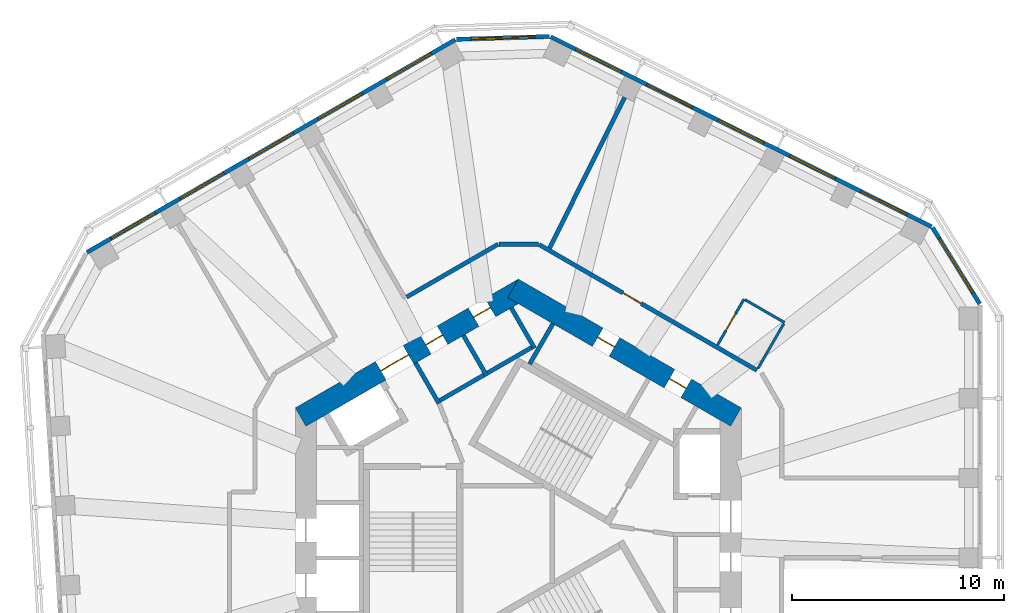
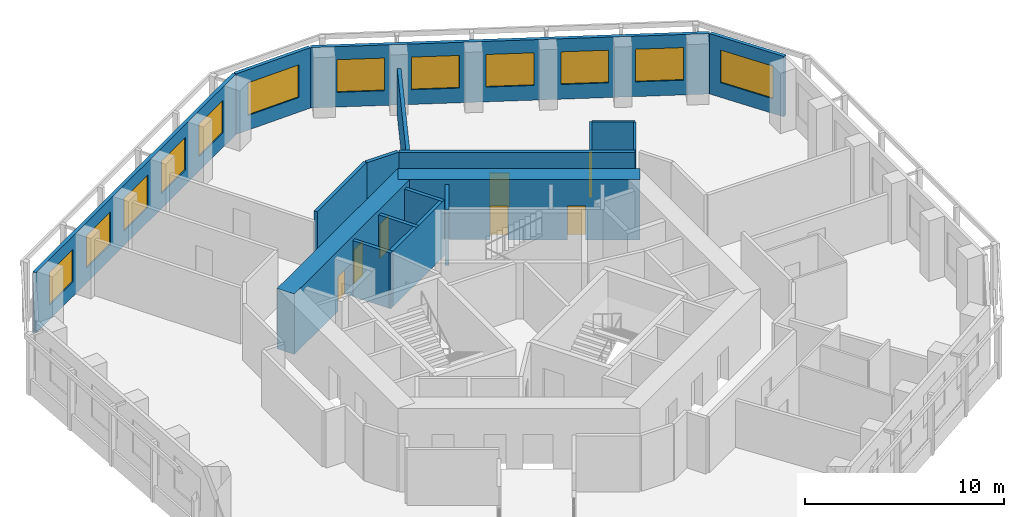
# One storey, part 7 of 10: 18 walls, 12 windows, 7 doors, 19 openings.
"""IFC4 building model written with IfcOpenShell, lengths in metres."""

from ifc_helpers import new_model, si_unit, direction, frame, frame_2d, origin, place, context, subcontext, project, spatial, rectangle, extrude, material, layer, layer_set, type_object, element, fill, save


model = new_model("IFC4")

# Units and contexts
model_context = context("Model", 3, precision=1e-05, world=origin(), true_north=direction((0.0, 1.0)))
body_context = subcontext(model_context, "Body", "Model", "MODEL_VIEW")
ifc_project = project(units=[si_unit("LENGTHUNIT", "METRE"), si_unit("AREAUNIT", "SQUARE_METRE"), si_unit("VOLUMEUNIT", "CUBIC_METRE"), si_unit("PLANEANGLEUNIT", "RADIAN"), si_unit("MASSUNIT", "GRAM", prefix="KILO")], contexts=[model_context])

# Site, building, storey
site_placement = place(None, origin())
site = spatial("IfcSite", under=ifc_project, at=site_placement, CompositionType="ELEMENT")
building_placement = place(site_placement, origin())
building = spatial("IfcBuilding", under=site, at=building_placement, Name="Vanh Sen Convention Tower", CompositionType="ELEMENT")
storey_placement = place(building_placement, frame((0.0, 0.0, 194.699951171875)))
storey = spatial("IfcBuildingStorey", under=building, at=storey_placement, Name="L48", CompositionType="ELEMENT", Elevation=194.699951171875)

# Wall, opening, door
ifc_material_1 = material(Name="Moisture-resistant gypsum board on steel studs", Category="steel")
ifc_layer_1 = layer(ifc_material_1, 0.1201171875)
ifc_layer_set_1 = layer_set([ifc_layer_1], Name="Moisture-resistant gypsum board on steel studs")
wall_type_1 = type_object("IfcWallType", Name="Bathroom partition 120", PredefinedType="PARTITIONING", material=ifc_layer_set_1)
wall_1_placement = place(storey_placement, frame((9.378173828125, 9.019287109375, 0.0), z_axis=(0.0, 0.0, 1.0), x_axis=(0.500004234368, 0.866022959057, 0.0)))
wall_1 = element("IfcWall", 1, at=wall_1_placement, inside=storey, type_object=wall_type_1, Name="Bathroom partition 120", PredefinedType="PARTITIONING", context=body_context, shape_type="SweptSolid", body=[
    extrude(rectangle(XDim=2.5, YDim=0.1201171875, at=frame_2d((1.25, 0.0))), origin(), (0.0, 0.0, 1.0), 3.420166015625),
])
opening_1_placement = place(wall_1_placement, frame((0.800048828125, 0.0, 0.0)))
opening_1 = element("IfcOpeningElement", 2, at=opening_1_placement, cuts=wall_1, Name="Opening D47102", PredefinedType="OPENING", context=body_context, shape_type="SweptSolid", body=[
    extrude(rectangle(XDim=0.89990234375, YDim=2.10009765625, at=frame_2d((0.449951171875, 1.050048828125))), frame((0.0, 0.070068359375, 0.0), z_axis=(0.0, -1.0, 0.0), x_axis=(1.0, 0.0, 0.0)), (0.0, 0.0, 1.0), 0.14013671875),
])
ifc_material_2 = material(Name="Laminate door in steel frame", Category="steel")
door_type_1 = type_object("IfcDoorType", Name="Room internal door 900", OperationType="SINGLE_SWING_LEFT", PredefinedType="DOOR", material=ifc_material_2)
door_1_placement = place(opening_1_placement, origin())
door_1 = element("IfcDoor", 3, at=door_1_placement, inside=storey, type_object=door_type_1, Name="Internal room door D47102", OperationType="SINGLE_SWING_LEFT", OverallHeight=2.10009765625, OverallWidth=0.89990234375, PredefinedType="DOOR", context=body_context, shape_type="SweptSolid", body=[
    extrude(rectangle(XDim=0.89990234375, YDim=2.10009765625, at=frame_2d((0.449951171875, 1.050048828125))), frame((0.0, 0.02490234375, 0.0), z_axis=(0.0, -1.0, 0.0), x_axis=(1.0, 0.0, 0.0)), (0.0, 0.0, 1.0), 0.050048828125),
])
fill(opening_1, door_1)

# Walls
wall_2_placement = place(storey_placement, frame((10.68017578125, 11.154296875, 0.0), z_axis=(0.0, 0.0, 1.0), x_axis=(0.86600889856, -0.500028586798, 0.0)))
element("IfcWall", 4, at=wall_2_placement, inside=storey, type_object=wall_type_1, Name="Bathroom partition 120", PredefinedType="PARTITIONING", context=body_context, shape_type="SweptSolid", body=[
    extrude(rectangle(XDim=2.139892578125, YDim=0.1201171875, at=frame_2d((1.06982421875, 0.0))), origin(), (0.0, 0.0, 1.0), 3.420166015625),
])
wall_3_placement = place(storey_placement, frame((12.50341796875, 10.0322265625, 0.0), z_axis=(0.0, 0.0, 1.0), x_axis=(-0.500002508028, -0.866023955769, 0.0)))
element("IfcWall", 5, at=wall_3_placement, inside=storey, type_object=wall_type_1, Name="Bathroom partition 120", PredefinedType="PARTITIONING", context=body_context, shape_type="SweptSolid", body=[
    extrude(rectangle(XDim=2.43994140625, YDim=0.1201171875, at=frame_2d((1.219970703125, 0.0))), origin(), (0.0, 0.0, 1.0), 3.420166015625),
])

# Wall, openings, doors
ifc_material_3 = material(Name="Concrete C80/95", Category="concrete")
ifc_layer_2 = layer(ifc_material_3, 1.0)
ifc_layer_set_2 = layer_set([ifc_layer_2], Name="Concrete C80/95")
wall_type_2 = type_object("IfcWallType", Name="Core outer wall 1000 C80/95", PredefinedType="SHEAR", material=ifc_layer_set_2)
wall_4_placement = place(storey_placement, frame((10.25, 5.629150390625, 0.0), z_axis=(0.0, 0.0, 1.0), x_axis=(-0.866022616891, 0.50000482701, 0.0)))
wall_4 = element("IfcWall", 6, at=wall_4_placement, inside=storey, type_object=wall_type_2, Name="Core wall face NE L48", PredefinedType="SHEAR", context=body_context, shape_type="SweptSolid", body=[
    extrude(rectangle(XDim=12.12451171875, YDim=1.0, at=frame_2d((6.062255859375, 0.0))), origin(), (0.0, 0.0, 1.0), 3.699951171875),
])
opening_2_placement = place(wall_4_placement, frame((2.712158203125, 0.0, 0.0)))
opening_2 = element("IfcOpeningElement", 7, at=opening_2_placement, cuts=wall_4, Name="Opening D47012", PredefinedType="OPENING", context=body_context, shape_type="SweptSolid", body=[
    extrude(rectangle(XDim=0.89990234375, YDim=2.10009765625, at=frame_2d((0.449951171875, 1.050048828125))), frame((0.0, 0.510009765625, 0.0), z_axis=(0.0, -1.0, 0.0), x_axis=(1.0, 0.0, 0.0)), (0.0, 0.0, 1.0), 1.02001953125),
])
opening_3_placement = place(wall_4_placement, frame((6.6123046875, 0.0, 0.0)))
opening_3 = element("IfcOpeningElement", 8, at=opening_3_placement, cuts=wall_4, Name="Opening D47013", PredefinedType="OPENING", context=body_context, shape_type="SweptSolid", body=[
    extrude(rectangle(XDim=0.89990234375, YDim=2.10009765625, at=frame_2d((0.449951171875, 1.050048828125))), frame((0.0, 0.510009765625, 0.0), z_axis=(0.0, -1.0, 0.0), x_axis=(1.0, 0.0, 0.0)), (0.0, 0.0, 1.0), 1.02001953125),
])
ifc_material_4 = material(Name="Steel S355", Category="steel")
door_type_2 = type_object("IfcDoorType", Name="Plant door 900", OperationType="SINGLE_SWING_LEFT", PredefinedType="DOOR", material=ifc_material_4)
door_2_placement = place(opening_2_placement, origin())
door_2 = element("IfcDoor", 9, at=door_2_placement, inside=storey, type_object=door_type_2, Name="Plant door D47012", OperationType="SINGLE_SWING_LEFT", OverallHeight=2.10009765625, OverallWidth=0.89990234375, PredefinedType="DOOR", context=body_context, shape_type="SweptSolid", body=[
    extrude(rectangle(XDim=0.89990234375, YDim=2.10009765625, at=frame_2d((0.449951171875, 1.050048828125))), frame((0.0, 0.02490234375, 0.0), z_axis=(0.0, -1.0, 0.0), x_axis=(1.0, 0.0, 0.0)), (0.0, 0.0, 1.0), 0.050048828125),
])
fill(opening_2, door_2)
door_3_placement = place(opening_3_placement, origin())
door_3 = element("IfcDoor", 10, at=door_3_placement, inside=storey, type_object=door_type_2, Name="Plant door D47013", OperationType="SINGLE_SWING_LEFT", OverallHeight=2.10009765625, OverallWidth=0.89990234375, PredefinedType="DOOR", context=body_context, shape_type="SweptSolid", body=[
    extrude(rectangle(XDim=0.89990234375, YDim=2.10009765625, at=frame_2d((0.449951171875, 1.050048828125))), frame((0.0, 0.02490234375, 0.0), z_axis=(0.0, -1.0, 0.0), x_axis=(1.0, 0.0, 0.0)), (0.0, 0.0, 1.0), 0.050048828125),
])
fill(opening_3, door_3)

wall_5_placement = place(storey_placement, frame((0.25, 11.69140625, 0.0), z_axis=(0.0, 0.0, 1.0), x_axis=(-0.866022616891, -0.50000482701, 0.0)))
wall_5 = element("IfcWall", 11, at=wall_5_placement, inside=storey, type_object=wall_type_2, Name="Core wall face NW L48", PredefinedType="SHEAR", context=body_context, shape_type="SweptSolid", body=[
    extrude(rectangle(XDim=12.12451171875, YDim=1.0, at=frame_2d((6.062255859375, 0.0))), origin(), (0.0, 0.0, 1.0), 3.699951171875),
])
opening_4_placement = place(wall_5_placement, frame((6.26220703125, 0.0, 0.0)))
opening_4 = element("IfcOpeningElement", 12, at=opening_4_placement, cuts=wall_5, Name="Opening D47002", PredefinedType="OPENING", context=body_context, shape_type="SweptSolid", body=[
    extrude(rectangle(XDim=1.5, YDim=2.10009765625, at=frame_2d((0.75, 1.050048828125))), frame((0.0, 0.510009765625, 0.0), z_axis=(0.0, -1.0, 0.0), x_axis=(1.0, 0.0, 0.0)), (0.0, 0.0, 1.0), 1.02001953125),
])
opening_5_placement = place(wall_5_placement, frame((1.812255859375, 0.0, 0.0)))
opening_5 = element("IfcOpeningElement", 13, at=opening_5_placement, cuts=wall_5, Name="Opening D47014", PredefinedType="OPENING", context=body_context, shape_type="SweptSolid", body=[
    extrude(rectangle(XDim=0.89990234375, YDim=2.10009765625, at=frame_2d((0.449951171875, 1.050048828125))), frame((0.0, 0.510009765625, 0.0), z_axis=(0.0, -1.0, 0.0), x_axis=(1.0, 0.0, 0.0)), (0.0, 0.0, 1.0), 1.02001953125),
])
opening_6_placement = place(wall_5_placement, frame((4.412109375, 0.0, 0.0)))
opening_6 = element("IfcOpeningElement", 14, at=opening_6_placement, cuts=wall_5, Name="Opening D47015", PredefinedType="OPENING", context=body_context, shape_type="SweptSolid", body=[
    extrude(rectangle(XDim=0.89990234375, YDim=2.10009765625, at=frame_2d((0.449951171875, 1.050048828125))), frame((0.0, 0.510009765625, 0.0), z_axis=(0.0, -1.0, 0.0), x_axis=(1.0, 0.0, 0.0)), (0.0, 0.0, 1.0), 1.02001953125),
])
door_4_placement = place(opening_5_placement, origin())
door_4 = element("IfcDoor", 15, at=door_4_placement, inside=storey, type_object=door_type_2, Name="Plant door D47014", OperationType="SINGLE_SWING_LEFT", OverallHeight=2.10009765625, OverallWidth=0.89990234375, PredefinedType="DOOR", context=body_context, shape_type="SweptSolid", body=[
    extrude(rectangle(XDim=0.89990234375, YDim=2.10009765625, at=frame_2d((0.449951171875, 1.050048828125))), frame((0.0, 0.02490234375, 0.0), z_axis=(0.0, -1.0, 0.0), x_axis=(1.0, 0.0, 0.0)), (0.0, 0.0, 1.0), 0.050048828125),
])
fill(opening_5, door_4)
door_5_placement = place(opening_6_placement, origin())
door_5 = element("IfcDoor", 16, at=door_5_placement, inside=storey, type_object=door_type_2, Name="Plant door D47015", OperationType="SINGLE_SWING_LEFT", OverallHeight=2.10009765625, OverallWidth=0.89990234375, PredefinedType="DOOR", context=body_context, shape_type="SweptSolid", body=[
    extrude(rectangle(XDim=0.89990234375, YDim=2.10009765625, at=frame_2d((0.449951171875, 1.050048828125))), frame((0.0, 0.02490234375, 0.0), z_axis=(0.0, -1.0, 0.0), x_axis=(1.0, 0.0, 0.0)), (0.0, 0.0, 1.0), 0.050048828125),
])
fill(opening_6, door_5)
door_type_3 = type_object("IfcDoorType", Name="Stair lobby door 1500", OperationType="DOUBLE_DOOR_SINGLE_SWING", PredefinedType="DOOR", material=ifc_material_4)
door_6_placement = place(opening_4_placement, origin())
door_6 = element("IfcDoor", 17, at=door_6_placement, inside=storey, type_object=door_type_3, Name="Stair lobby door D47002", OperationType="DOUBLE_DOOR_SINGLE_SWING", OverallHeight=2.10009765625, OverallWidth=1.5, PredefinedType="DOOR", context=body_context, shape_type="SweptSolid", body=[
    extrude(rectangle(XDim=1.5, YDim=2.10009765625, at=frame_2d((0.75, 1.050048828125))), frame((0.0, 0.02490234375, 0.0), z_axis=(0.0, -1.0, 0.0), x_axis=(1.0, 0.0, 0.0)), (0.0, 0.0, 1.0), 0.050048828125),
])
fill(opening_4, door_6)

# Walls
ifc_material_5 = material(Name="Gypsum board on steel studs with mineral wool", Category="steel")
ifc_layer_3 = layer(ifc_material_5, 0.199951171875)
ifc_layer_set_3 = layer_set([ifc_layer_3], Name="Gypsum board on steel studs with mineral wool")
wall_type_3 = type_object("IfcWallType", Name="Corridor partition wall 200", PredefinedType="PARTITIONING", material=ifc_layer_set_3)
wall_6_placement = place(storey_placement, frame((-0.949951171875, 13.769775390625, 0.0), z_axis=(0.0, 0.0, 1.0), x_axis=(-0.866036689987, -0.499980451214, 0.0)))
element("IfcWall", 18, at=wall_6_placement, inside=storey, type_object=wall_type_3, Name="Corridor partition wall 200", PredefinedType="PARTITIONING", context=body_context, shape_type="SweptSolid", body=[
    extrude(rectangle(XDim=4.969482421875, YDim=0.199951171875, at=frame_2d((2.48486328125, 0.0))), origin(), (0.0, 0.0, 1.0), 3.420166015625),
])
wall_7_placement = place(storey_placement, frame((0.949951171875, 13.769775390625, 0.0), z_axis=(0.0, 0.0, 1.0), x_axis=(-1.0, 0.0, 0.0)))
element("IfcWall", 19, at=wall_7_placement, inside=storey, type_object=wall_type_3, Name="Corridor partition wall 200", PredefinedType="PARTITIONING", context=body_context, shape_type="SweptSolid", body=[
    extrude(rectangle(XDim=1.85986328125, YDim=0.199951171875, at=frame_2d((0.929931640625, 0.0))), origin(), (0.0, 0.0, 1.0), 3.420166015625),
])

# Wall, opening, door
wall_8_placement = place(storey_placement, frame((11.2333984375, 7.83251953125, 0.0), z_axis=(0.0, 0.0, 1.0), x_axis=(-0.866021713988, 0.50000639086, 0.0)))
wall_8 = element("IfcWall", 20, at=wall_8_placement, inside=storey, type_object=wall_type_3, Name="Corridor partition wall 200", PredefinedType="PARTITIONING", context=body_context, shape_type="SweptSolid", body=[
    extrude(rectangle(XDim=11.834228515625, YDim=0.199951171875, at=frame_2d((5.9169921875, 0.0))), origin(), (0.0, 0.0, 1.0), 3.420166015625),
])
opening_7_placement = place(wall_8_placement, frame((6.2880859375, 0.0, 0.0)))
opening_7 = element("IfcOpeningElement", 21, at=opening_7_placement, cuts=wall_8, Name="Opening D47101", PredefinedType="OPENING", context=body_context, shape_type="SweptSolid", body=[
    extrude(rectangle(XDim=1.0, YDim=2.10009765625, at=frame_2d((0.5, 1.050048828125))), frame((0.0, 0.10986328125, 0.0), z_axis=(0.0, -1.0, 0.0), x_axis=(1.0, 0.0, 0.0)), (0.0, 0.0, 1.0), 0.219970703125),
])
ifc_material_6 = material(Name="Glazed fire door in steel frame", Category="steel")
door_type_4 = type_object("IfcDoorType", Name="Tenant entrance door 1000", OperationType="SINGLE_SWING_LEFT", PredefinedType="DOOR", material=ifc_material_6)
door_7_placement = place(opening_7_placement, origin())
door_7 = element("IfcDoor", 22, at=door_7_placement, inside=storey, type_object=door_type_4, Name="Tenant suite entrance door D47101", OperationType="SINGLE_SWING_LEFT", OverallHeight=2.10009765625, OverallWidth=1.0, PredefinedType="DOOR", context=body_context, shape_type="SweptSolid", body=[
    extrude(rectangle(XDim=1.0, YDim=2.10009765625, at=frame_2d((0.5, 1.050048828125))), frame((0.0, 0.02490234375, 0.0), z_axis=(0.0, -1.0, 0.0), x_axis=(1.0, 0.0, 0.0)), (0.0, 0.0, 1.0), 0.050048828125),
])
fill(opening_7, door_7)

# Wall, opening, window
ifc_material_7 = material(Name="Insulated lightweight infill wall")
ifc_layer_4 = layer(ifc_material_7, 0.199951171875)
ifc_layer_set_4 = layer_set([ifc_layer_4], Name="Insulated lightweight infill wall")
wall_type_4 = type_object("IfcWallType", Name="External wall 200", PredefinedType="STANDARD", material=ifc_layer_set_4)
wall_9_placement = place(storey_placement, frame((21.735107421875, 10.9580078125, 0.0), z_axis=(0.0, 0.0, 1.0), x_axis=(-0.526213807775, 0.850352296702, 0.0)))
wall_9 = element("IfcWall", 23, at=wall_9_placement, inside=storey, type_object=wall_type_4, Name="External wall CH1 L48", PredefinedType="STANDARD", context=body_context, shape_type="SweptSolid", body=[
    extrude(rectangle(XDim=4.23828125, YDim=0.199951171875, at=frame_2d((2.119140625, 0.0))), origin(), (0.0, 0.0, 1.0), 3.699951171875),
])
opening_8_placement = place(wall_9_placement, frame((0.619140625, 0.0, 0.89990234375)))
opening_8 = element("IfcOpeningElement", 24, at=opening_8_placement, cuts=wall_9, Name="Opening WO2-CH11", PredefinedType="OPENING", context=body_context, shape_type="SweptSolid", body=[
    extrude(rectangle(XDim=3.0, YDim=2.0, at=frame_2d((1.5, 1.0))), frame((0.0, 0.10986328125, 0.0), z_axis=(0.0, -1.0, 0.0), x_axis=(1.0, 0.0, 0.0)), (0.0, 0.0, 1.0), 0.219970703125),
])
ifc_material_8 = material(Name="Aluminium frame with clear low-emissivity glass", Category="aluminium")
window_type_1 = type_object("IfcWindowType", Name="Office window 3000 x 2000", PartitioningType="SINGLE_PANEL", PredefinedType="WINDOW", material=ifc_material_8)
window_1_placement = place(opening_8_placement, origin())
window_1 = element("IfcWindow", 25, at=window_1_placement, inside=storey, type_object=window_type_1, Name="Window WO2-CH11", OverallHeight=2.0, OverallWidth=3.0, PartitioningType="SINGLE_PANEL", PredefinedType="WINDOW", context=body_context, shape_type="SweptSolid", body=[
    extrude(rectangle(XDim=3.0, YDim=2.0, at=frame_2d((1.5, 1.0))), frame((0.0, 0.030029296875, 0.0), z_axis=(0.0, -1.0, 0.0), x_axis=(1.0, 0.0, 0.0)), (0.0, 0.0, 1.0), 0.06005859375),
])
fill(opening_8, window_1)

# Wall, openings, windows
wall_10_placement = place(storey_placement, frame((19.46435546875, 14.598876953125, 0.0), z_axis=(0.0, 0.0, 1.0), x_axis=(-0.894935755043, 0.446195018289, 0.0)))
wall_10 = element("IfcWall", 26, at=wall_10_placement, inside=storey, type_object=wall_type_4, Name="External wall NE L48", PredefinedType="STANDARD", context=body_context, shape_type="SweptSolid", body=[
    extrude(rectangle(XDim=20.043701171875, YDim=0.199951171875, at=frame_2d((10.02197265625, 0.0))), origin(), (0.0, 0.0, 1.0), 3.699951171875),
])
opening_9_placement = place(wall_10_placement, frame((1.31298828125, 0.0, 0.89990234375)))
opening_9 = element("IfcOpeningElement", 27, at=opening_9_placement, cuts=wall_10, Name="Opening WO1-NE1", PredefinedType="OPENING", context=body_context, shape_type="SweptSolid", body=[
    extrude(rectangle(XDim=2.39990234375, YDim=2.0, at=frame_2d((1.199951171875, 1.0))), frame((0.0, 0.10986328125, 0.0), z_axis=(0.0, -1.0, 0.0), x_axis=(1.0, 0.0, 0.0)), (0.0, 0.0, 1.0), 0.219970703125),
])
opening_10_placement = place(wall_10_placement, frame((5.06689453125, 0.0, 0.89990234375)))
opening_10 = element("IfcOpeningElement", 28, at=opening_10_placement, cuts=wall_10, Name="Opening WO1-NE2", PredefinedType="OPENING", context=body_context, shape_type="SweptSolid", body=[
    extrude(rectangle(XDim=2.39990234375, YDim=2.0, at=frame_2d((1.199951171875, 1.0))), frame((0.0, 0.10986328125, 0.0), z_axis=(0.0, -1.0, 0.0), x_axis=(1.0, 0.0, 0.0)), (0.0, 0.0, 1.0), 0.219970703125),
])
opening_11_placement = place(wall_10_placement, frame((8.821044921875, 0.0, 0.89990234375)))
opening_11 = element("IfcOpeningElement", 29, at=opening_11_placement, cuts=wall_10, Name="Opening WO1-NE3", PredefinedType="OPENING", context=body_context, shape_type="SweptSolid", body=[
    extrude(rectangle(XDim=2.39990234375, YDim=2.0, at=frame_2d((1.199951171875, 1.0))), frame((0.0, 0.10986328125, 0.0), z_axis=(0.0, -1.0, 0.0), x_axis=(1.0, 0.0, 0.0)), (0.0, 0.0, 1.0), 0.219970703125),
])
opening_12_placement = place(wall_10_placement, frame((12.5751953125, 0.0, 0.89990234375)))
opening_12 = element("IfcOpeningElement", 30, at=opening_12_placement, cuts=wall_10, Name="Opening WO1-NE4", PredefinedType="OPENING", context=body_context, shape_type="SweptSolid", body=[
    extrude(rectangle(XDim=2.39990234375, YDim=2.0, at=frame_2d((1.199951171875, 1.0))), frame((0.0, 0.10986328125, 0.0), z_axis=(0.0, -1.0, 0.0), x_axis=(1.0, 0.0, 0.0)), (0.0, 0.0, 1.0), 0.219970703125),
])
opening_13_placement = place(wall_10_placement, frame((16.329345703125, 0.0, 0.89990234375)))
opening_13 = element("IfcOpeningElement", 31, at=opening_13_placement, cuts=wall_10, Name="Opening WO1-NE5", PredefinedType="OPENING", context=body_context, shape_type="SweptSolid", body=[
    extrude(rectangle(XDim=2.39990234375, YDim=2.0, at=frame_2d((1.199951171875, 1.0))), frame((0.0, 0.10986328125, 0.0), z_axis=(0.0, -1.0, 0.0), x_axis=(1.0, 0.0, 0.0)), (0.0, 0.0, 1.0), 0.219970703125),
])
window_type_2 = type_object("IfcWindowType", Name="Office window 2400 x 2000", PartitioningType="SINGLE_PANEL", PredefinedType="WINDOW", material=ifc_material_8)
window_2_placement = place(opening_9_placement, origin())
window_2 = element("IfcWindow", 32, at=window_2_placement, inside=storey, type_object=window_type_2, Name="Window WO1-NE1", OverallHeight=2.0, OverallWidth=2.39990234375, PartitioningType="SINGLE_PANEL", PredefinedType="WINDOW", context=body_context, shape_type="SweptSolid", body=[
    extrude(rectangle(XDim=2.39990234375, YDim=2.0, at=frame_2d((1.199951171875, 1.0))), frame((0.0, 0.030029296875, 0.0), z_axis=(0.0, -1.0, 0.0), x_axis=(1.0, 0.0, 0.0)), (0.0, 0.0, 1.0), 0.06005859375),
])
fill(opening_9, window_2)
window_3_placement = place(opening_10_placement, origin())
window_3 = element("IfcWindow", 33, at=window_3_placement, inside=storey, type_object=window_type_2, Name="Window WO1-NE2", OverallHeight=2.0, OverallWidth=2.39990234375, PartitioningType="SINGLE_PANEL", PredefinedType="WINDOW", context=body_context, shape_type="SweptSolid", body=[
    extrude(rectangle(XDim=2.39990234375, YDim=2.0, at=frame_2d((1.199951171875, 1.0))), frame((0.0, 0.030029296875, 0.0), z_axis=(0.0, -1.0, 0.0), x_axis=(1.0, 0.0, 0.0)), (0.0, 0.0, 1.0), 0.06005859375),
])
fill(opening_10, window_3)
window_4_placement = place(opening_11_placement, origin())
window_4 = element("IfcWindow", 34, at=window_4_placement, inside=storey, type_object=window_type_2, Name="Window WO1-NE3", OverallHeight=2.0, OverallWidth=2.39990234375, PartitioningType="SINGLE_PANEL", PredefinedType="WINDOW", context=body_context, shape_type="SweptSolid", body=[
    extrude(rectangle(XDim=2.39990234375, YDim=2.0, at=frame_2d((1.199951171875, 1.0))), frame((0.0, 0.030029296875, 0.0), z_axis=(0.0, -1.0, 0.0), x_axis=(1.0, 0.0, 0.0)), (0.0, 0.0, 1.0), 0.06005859375),
])
fill(opening_11, window_4)
window_5_placement = place(opening_12_placement, origin())
window_5 = element("IfcWindow", 35, at=window_5_placement, inside=storey, type_object=window_type_2, Name="Window WO1-NE4", OverallHeight=2.0, OverallWidth=2.39990234375, PartitioningType="SINGLE_PANEL", PredefinedType="WINDOW", context=body_context, shape_type="SweptSolid", body=[
    extrude(rectangle(XDim=2.39990234375, YDim=2.0, at=frame_2d((1.199951171875, 1.0))), frame((0.0, 0.030029296875, 0.0), z_axis=(0.0, -1.0, 0.0), x_axis=(1.0, 0.0, 0.0)), (0.0, 0.0, 1.0), 0.06005859375),
])
fill(opening_12, window_5)
window_6_placement = place(opening_13_placement, origin())
window_6 = element("IfcWindow", 36, at=window_6_placement, inside=storey, type_object=window_type_2, Name="Window WO1-NE5", OverallHeight=2.0, OverallWidth=2.39990234375, PartitioningType="SINGLE_PANEL", PredefinedType="WINDOW", context=body_context, shape_type="SweptSolid", body=[
    extrude(rectangle(XDim=2.39990234375, YDim=2.0, at=frame_2d((1.199951171875, 1.0))), frame((0.0, 0.030029296875, 0.0), z_axis=(0.0, -1.0, 0.0), x_axis=(1.0, 0.0, 0.0)), (0.0, 0.0, 1.0), 0.06005859375),
])
fill(opening_13, window_6)

# Wall, opening, window
wall_11_placement = place(storey_placement, frame((1.478759765625, 23.552734375, 0.0), z_axis=(0.0, 0.0, 1.0), x_axis=(-0.999534786117, -0.03049936625, 0.0)))
wall_11 = element("IfcWall", 37, at=wall_11_placement, inside=storey, type_object=wall_type_4, Name="External wall CH2 L48", PredefinedType="STANDARD", context=body_context, shape_type="SweptSolid", body=[
    extrude(rectangle(XDim=4.39453125, YDim=0.199951171875, at=frame_2d((2.197265625, 0.0))), origin(), (0.0, 0.0, 1.0), 3.699951171875),
])
opening_14_placement = place(wall_11_placement, frame((0.697509765625, 0.0, 0.89990234375)))
opening_14 = element("IfcOpeningElement", 38, at=opening_14_placement, cuts=wall_11, Name="Opening WO2-CH21", PredefinedType="OPENING", context=body_context, shape_type="SweptSolid", body=[
    extrude(rectangle(XDim=3.0, YDim=2.0, at=frame_2d((1.5, 1.0))), frame((0.0, 0.10986328125, 0.0), z_axis=(0.0, -1.0, 0.0), x_axis=(1.0, 0.0, 0.0)), (0.0, 0.0, 1.0), 0.219970703125),
])
window_7_placement = place(opening_14_placement, origin())
window_7 = element("IfcWindow", 39, at=window_7_placement, inside=storey, type_object=window_type_1, Name="Window WO2-CH21", OverallHeight=2.0, OverallWidth=3.0, PartitioningType="SINGLE_PANEL", PredefinedType="WINDOW", context=body_context, shape_type="SweptSolid", body=[
    extrude(rectangle(XDim=3.0, YDim=2.0, at=frame_2d((1.5, 1.0))), frame((0.0, 0.030029296875, 0.0), z_axis=(0.0, -1.0, 0.0), x_axis=(1.0, 0.0, 0.0)), (0.0, 0.0, 1.0), 0.06005859375),
])
fill(opening_14, window_7)

# Wall, openings, windows
wall_12_placement = place(storey_placement, frame((-2.9609375, 23.4052734375, 0.0), z_axis=(0.0, 0.0, 1.0), x_axis=(-0.866023315909, -0.500003616288, 0.0)))
wall_12 = element("IfcWall", 40, at=wall_12_placement, inside=storey, type_object=wall_type_4, Name="External wall NW L48", PredefinedType="STANDARD", context=body_context, shape_type="SweptSolid", body=[
    extrude(rectangle(XDim=20.043701171875, YDim=0.199951171875, at=frame_2d((10.02197265625, 0.0))), origin(), (0.0, 0.0, 1.0), 3.699951171875),
])
opening_15_placement = place(wall_12_placement, frame((1.314453125, 0.0, 0.89990234375)))
opening_15 = element("IfcOpeningElement", 41, at=opening_15_placement, cuts=wall_12, Name="Opening WO1-NW1", PredefinedType="OPENING", context=body_context, shape_type="SweptSolid", body=[
    extrude(rectangle(XDim=2.39990234375, YDim=2.0, at=frame_2d((1.199951171875, 1.0))), frame((0.0, 0.10986328125, 0.0), z_axis=(0.0, -1.0, 0.0), x_axis=(1.0, 0.0, 0.0)), (0.0, 0.0, 1.0), 0.219970703125),
])
opening_16_placement = place(wall_12_placement, frame((5.068603515625, 0.0, 0.89990234375)))
opening_16 = element("IfcOpeningElement", 42, at=opening_16_placement, cuts=wall_12, Name="Opening WO1-NW2", PredefinedType="OPENING", context=body_context, shape_type="SweptSolid", body=[
    extrude(rectangle(XDim=2.39990234375, YDim=2.0, at=frame_2d((1.199951171875, 1.0))), frame((0.0, 0.10986328125, 0.0), z_axis=(0.0, -1.0, 0.0), x_axis=(1.0, 0.0, 0.0)), (0.0, 0.0, 1.0), 0.219970703125),
])
opening_17_placement = place(wall_12_placement, frame((8.82275390625, 0.0, 0.89990234375)))
opening_17 = element("IfcOpeningElement", 43, at=opening_17_placement, cuts=wall_12, Name="Opening WO1-NW3", PredefinedType="OPENING", context=body_context, shape_type="SweptSolid", body=[
    extrude(rectangle(XDim=2.39990234375, YDim=2.0, at=frame_2d((1.199951171875, 1.0))), frame((0.0, 0.10986328125, 0.0), z_axis=(0.0, -1.0, 0.0), x_axis=(1.0, 0.0, 0.0)), (0.0, 0.0, 1.0), 0.219970703125),
])
opening_18_placement = place(wall_12_placement, frame((12.576904296875, 0.0, 0.89990234375)))
opening_18 = element("IfcOpeningElement", 44, at=opening_18_placement, cuts=wall_12, Name="Opening WO1-NW4", PredefinedType="OPENING", context=body_context, shape_type="SweptSolid", body=[
    extrude(rectangle(XDim=2.39990234375, YDim=2.0, at=frame_2d((1.199951171875, 1.0))), frame((0.0, 0.10986328125, 0.0), z_axis=(0.0, -1.0, 0.0), x_axis=(1.0, 0.0, 0.0)), (0.0, 0.0, 1.0), 0.219970703125),
])
opening_19_placement = place(wall_12_placement, frame((16.330810546875, 0.0, 0.89990234375)))
opening_19 = element("IfcOpeningElement", 45, at=opening_19_placement, cuts=wall_12, Name="Opening WO1-NW5", PredefinedType="OPENING", context=body_context, shape_type="SweptSolid", body=[
    extrude(rectangle(XDim=2.39990234375, YDim=2.0, at=frame_2d((1.199951171875, 1.0))), frame((0.0, 0.10986328125, 0.0), z_axis=(0.0, -1.0, 0.0), x_axis=(1.0, 0.0, 0.0)), (0.0, 0.0, 1.0), 0.219970703125),
])
window_8_placement = place(opening_15_placement, origin())
window_8 = element("IfcWindow", 46, at=window_8_placement, inside=storey, type_object=window_type_2, Name="Window WO1-NW1", OverallHeight=2.0, OverallWidth=2.39990234375, PartitioningType="SINGLE_PANEL", PredefinedType="WINDOW", context=body_context, shape_type="SweptSolid", body=[
    extrude(rectangle(XDim=2.39990234375, YDim=2.0, at=frame_2d((1.199951171875, 1.0))), frame((0.0, 0.030029296875, 0.0), z_axis=(0.0, -1.0, 0.0), x_axis=(1.0, 0.0, 0.0)), (0.0, 0.0, 1.0), 0.06005859375),
])
fill(opening_15, window_8)
window_9_placement = place(opening_16_placement, origin())
window_9 = element("IfcWindow", 47, at=window_9_placement, inside=storey, type_object=window_type_2, Name="Window WO1-NW2", OverallHeight=2.0, OverallWidth=2.39990234375, PartitioningType="SINGLE_PANEL", PredefinedType="WINDOW", context=body_context, shape_type="SweptSolid", body=[
    extrude(rectangle(XDim=2.39990234375, YDim=2.0, at=frame_2d((1.199951171875, 1.0))), frame((0.0, 0.030029296875, 0.0), z_axis=(0.0, -1.0, 0.0), x_axis=(1.0, 0.0, 0.0)), (0.0, 0.0, 1.0), 0.06005859375),
])
fill(opening_16, window_9)
window_10_placement = place(opening_17_placement, origin())
window_10 = element("IfcWindow", 48, at=window_10_placement, inside=storey, type_object=window_type_2, Name="Window WO1-NW3", OverallHeight=2.0, OverallWidth=2.39990234375, PartitioningType="SINGLE_PANEL", PredefinedType="WINDOW", context=body_context, shape_type="SweptSolid", body=[
    extrude(rectangle(XDim=2.39990234375, YDim=2.0, at=frame_2d((1.199951171875, 1.0))), frame((0.0, 0.030029296875, 0.0), z_axis=(0.0, -1.0, 0.0), x_axis=(1.0, 0.0, 0.0)), (0.0, 0.0, 1.0), 0.06005859375),
])
fill(opening_17, window_10)
window_11_placement = place(opening_18_placement, origin())
window_11 = element("IfcWindow", 49, at=window_11_placement, inside=storey, type_object=window_type_2, Name="Window WO1-NW4", OverallHeight=2.0, OverallWidth=2.39990234375, PartitioningType="SINGLE_PANEL", PredefinedType="WINDOW", context=body_context, shape_type="SweptSolid", body=[
    extrude(rectangle(XDim=2.39990234375, YDim=2.0, at=frame_2d((1.199951171875, 1.0))), frame((0.0, 0.030029296875, 0.0), z_axis=(0.0, -1.0, 0.0), x_axis=(1.0, 0.0, 0.0)), (0.0, 0.0, 1.0), 0.06005859375),
])
fill(opening_18, window_11)
window_12_placement = place(opening_19_placement, origin())
window_12 = element("IfcWindow", 50, at=window_12_placement, inside=storey, type_object=window_type_2, Name="Window WO1-NW5", OverallHeight=2.0, OverallWidth=2.39990234375, PartitioningType="SINGLE_PANEL", PredefinedType="WINDOW", context=body_context, shape_type="SweptSolid", body=[
    extrude(rectangle(XDim=2.39990234375, YDim=2.0, at=frame_2d((1.199951171875, 1.0))), frame((0.0, 0.030029296875, 0.0), z_axis=(0.0, -1.0, 0.0), x_axis=(1.0, 0.0, 0.0)), (0.0, 0.0, 1.0), 0.06005859375),
])
fill(opening_19, window_12)

# Walls
ifc_material_9 = material(Name="Concrete C40/50", Category="concrete")
ifc_layer_5 = layer(ifc_material_9, 0.199951171875)
ifc_layer_set_5 = layer_set([ifc_layer_5], Name="Concrete C40/50")
wall_type_5 = type_object("IfcWallType", Name="Lift shaft wall 200", PredefinedType="PARTITIONING", material=ifc_layer_set_5)
wall_13_placement = place(storey_placement, frame((0.5322265625, 8.1220703125, 0.0), z_axis=(0.0, 0.0, 1.0), x_axis=(0.500077893725, 0.86598042715, 0.0)))
element("IfcWall", 51, at=wall_13_placement, inside=storey, type_object=wall_type_5, Name="Lift shaft wall L48", PredefinedType="PARTITIONING", context=body_context, shape_type="SweptSolid", body=[
    extrude(rectangle(XDim=2.199951171875, YDim=0.199951171875, at=frame_2d((1.10009765625, 0.0))), origin(), (0.0, 0.0, 1.0), 3.420166015625),
])
wall_14_placement = place(storey_placement, frame((0.80322265625, 9.008544921875, 0.0), z_axis=(0.0, 0.0, 1.0), x_axis=(-0.866028230842, -0.499995103361, 0.0)))
element("IfcWall", 52, at=wall_14_placement, inside=storey, type_object=wall_type_5, Name="Lift shaft wall L48", PredefinedType="PARTITIONING", context=body_context, shape_type="SweptSolid", body=[
    extrude(rectangle(XDim=5.39990234375, YDim=0.199951171875, at=frame_2d((2.699951171875, 0.0))), origin(), (0.0, 0.0, 1.0), 3.420166015625),
])
wall_15_placement = place(storey_placement, frame((0.7666015625, 8.8720703125, 0.0), z_axis=(0.0, 0.0, 1.0), x_axis=(-0.499994660107, 0.866028486751, 0.0)))
element("IfcWall", 53, at=wall_15_placement, inside=storey, type_object=wall_type_5, Name="Lift shaft wall L48", PredefinedType="PARTITIONING", context=body_context, shape_type="SweptSolid", body=[
    extrude(rectangle(XDim=2.19970703125, YDim=0.199951171875, at=frame_2d((1.099853515625, 0.0))), origin(), (0.0, 0.0, 1.0), 3.420166015625),
])
for number, where, z_axis, x_axis, name in (
    (54, (-1.48486328125, 7.572021484375, 0.0), (0.0, 0.0, 1.0), (-0.50002983664, 0.866008176907, 0.0), "Lift shaft wall L48"),
    (55, (-3.736572265625, 6.27197265625, 0.0), (0.0, 0.0, 1.0), (-0.50002983664, 0.866008176907, 0.0), "Lift shaft wall L48"),
):
    element("IfcWall", number, at=place(storey_placement, frame(where, z_axis=z_axis, x_axis=x_axis)), inside=storey, type_object=wall_type_5, Name=name, PredefinedType="PARTITIONING", context=body_context, shape_type="SweptSolid", body=[
        extrude(rectangle(XDim=2.199951171875, YDim=0.199951171875, at=frame_2d((1.10009765625, 0.0))), origin(), (0.0, 0.0, 1.0), 3.420166015625),
    ])
ifc_layer_6 = layer(ifc_material_5, 0.199951171875)
ifc_layer_set_6 = layer_set([ifc_layer_6], Name="Gypsum board on steel studs with mineral wool")
wall_type_6 = type_object("IfcWallType", Name="Tenant suite wall 200", PredefinedType="PARTITIONING", material=ifc_layer_set_6)
wall_16_placement = place(storey_placement, frame((5.010498046875, 20.68798828125, 0.0), z_axis=(0.0, 0.0, 1.0), x_axis=(-0.446203062394, -0.894931744386, 0.0)))
element("IfcWall", 56, at=wall_16_placement, inside=storey, type_object=wall_type_6, Name="Tenant suite wall 200", PredefinedType="PARTITIONING", context=body_context, shape_type="SweptSolid", body=[
    extrude(rectangle(XDim=7.926513671875, YDim=0.199951171875, at=frame_2d((3.96337890625, 0.0))), origin(), (0.0, 0.0, 1.0), 2.8701171875),
])

save(model, "model.ifc")
